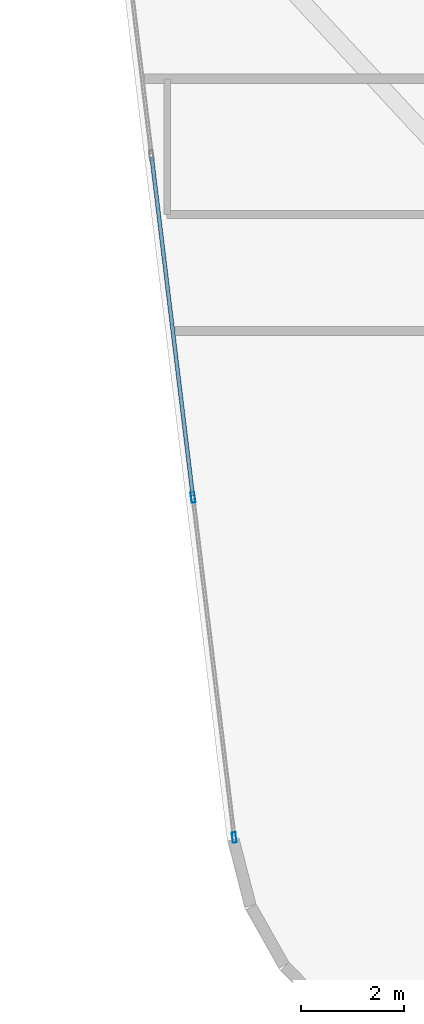
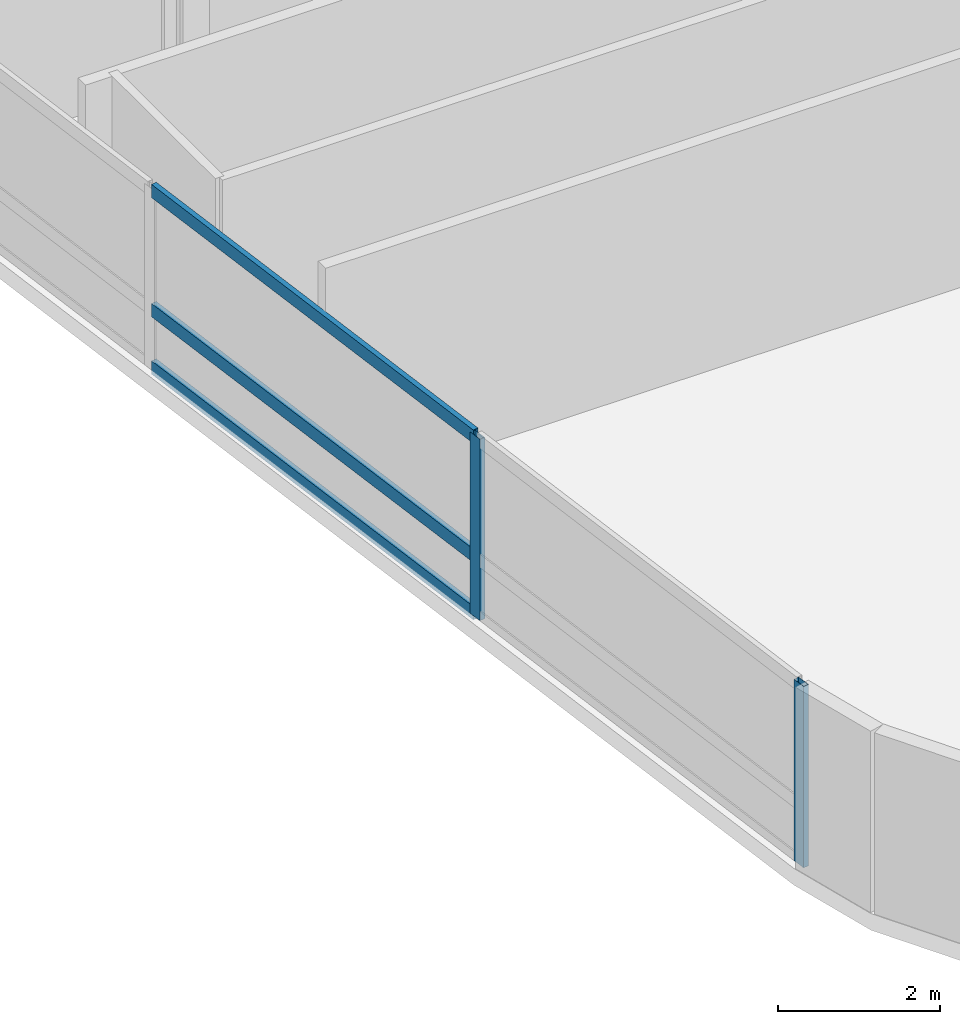
# One storey, part 2 of 22: 5 members, 1 element without a shape of its own.
"""IFC4 building model written with IfcOpenShell, lengths in metres."""

from ifc_helpers import new_model, si_unit, direction, frame, origin, origin_2d, place, context, subcontext, project, spatial, hollow_rectangle, extrude, material, layer, layer_set, material_profile, profile_set, type_object, element, aggregate, save


model = new_model("IFC4")

# Units and contexts
model_context = context("Model", 3, precision=1e-05, world=origin(), true_north=direction((0.0, 1.0)))
body_context = subcontext(model_context, "Body", "Model", "MODEL_VIEW")
ifc_project = project(units=[si_unit("LENGTHUNIT", "METRE"), si_unit("AREAUNIT", "SQUARE_METRE"), si_unit("VOLUMEUNIT", "CUBIC_METRE"), si_unit("PLANEANGLEUNIT", "RADIAN"), si_unit("MASSUNIT", "GRAM", prefix="KILO")], contexts=[model_context])

# Site, building, storey
site_placement = place(None, origin())
site = spatial("IfcSite", under=ifc_project, at=site_placement, CompositionType="ELEMENT")
building_placement = place(site_placement, origin())
building = spatial("IfcBuilding", under=site, at=building_placement, Name="Varnelok Gate Tower", CompositionType="ELEMENT")
storey_placement = place(building_placement, frame((0.0, 0.0, 185.699951171875)))
storey = spatial("IfcBuildingStorey", under=building, at=storey_placement, Name="L47", CompositionType="ELEMENT", Elevation=185.699951171875)

# Curtain wall, members
ifc_material = material(Name="Anodized Aluminum Alloy 6063-T6", Category="aluminium")
ifc_layer = layer(ifc_material, 0.179931640625)
ifc_layer_set = layer_set([ifc_layer], Name="Anodized Aluminum Alloy 6063-T6")
curtain_wall_type = type_object("IfcCurtainWallType", Name="CW4-RESIDENCE-VISION", PredefinedType="USERDEFINED", material=ifc_layer_set)
curtain_wall_placement = place(storey_placement, origin())
curtain_wall = element("IfcCurtainWall", 1, at=curtain_wall_placement, inside=storey, type_object=curtain_wall_type, Name="L47 West End Vision Curtain Wall", ObjectType="UNITISED CURTAIN WALL", PredefinedType="USERDEFINED")
ifc_material_profile_1 = material_profile(ifc_material, hollow_rectangle(XDim=0.074951171875, YDim=0.199951171875, WallThickness=0.00390625, at=origin_2d()), Name="ALU200X75X4")
ifc_profile_set_1 = profile_set([ifc_material_profile_1], Name="Anodized Aluminum Alloy 6063-T6")
member_type_1 = type_object("IfcMemberType", Name="CW-MULL-200", PredefinedType="MULLION", material=ifc_profile_set_1)
member_1_placement = place(storey_placement, frame((6.30078125, 4.52734375, 0.0), z_axis=(0.0, 0.0, 1.0), x_axis=(-0.992732188751, -0.120344511371, 0.0)))
member_1 = element("IfcMember", 2, at=member_1_placement, type_object=member_type_1, Name="CW4 mullion 1", PredefinedType="MULLION", context=body_context, shape_type="SweptSolid", body=[
    extrude(hollow_rectangle(XDim=0.074951171875, YDim=0.199951171875, WallThickness=0.00390625, at=origin_2d()), origin(), (0.0, 0.0, 1.0), 2.72998046875),
])
member_2_placement = place(storey_placement, frame((5.50146484375, 11.12158203125, 0.0), z_axis=(0.0, 0.0, 1.0), x_axis=(-0.992732188751, -0.120344511371, 0.0)))
member_2 = element("IfcMember", 3, at=member_2_placement, type_object=member_type_1, Name="CW4 mullion 2", PredefinedType="MULLION", context=body_context, shape_type="SweptSolid", body=[
    extrude(hollow_rectangle(XDim=0.074951171875, YDim=0.199951171875, WallThickness=0.00390625, at=origin_2d()), origin(), (0.0, 0.0, 1.0), 2.72998046875),
])
ifc_material_profile_2 = material_profile(ifc_material, hollow_rectangle(XDim=0.074951171875, YDim=0.199951171875, WallThickness=0.00390625, at=origin_2d()), Name="ALU200X75X4")
ifc_profile_set_2 = profile_set([ifc_material_profile_2], Name="Anodized Aluminum Alloy 6063-T6")
member_type_2 = type_object("IfcMemberType", Name="CW-TRAN-200", PredefinedType="USERDEFINED", material=ifc_profile_set_2)
member_3_placement = place(storey_placement, frame((5.496826171875, 11.15869140625, 0.03759765625), z_axis=(-0.120349029092, 0.992731641078, 0.0), x_axis=(-0.992731641078, -0.120349029092, 0.0)))
member_3 = element("IfcMember", 4, at=member_3_placement, type_object=member_type_2, Name="CW4 transom 2.1", ObjectType="TRANSOM", PredefinedType="USERDEFINED", context=body_context, shape_type="SweptSolid", body=[
    extrude(hollow_rectangle(XDim=0.074951171875, YDim=0.199951171875, WallThickness=0.00390625, at=origin_2d()), origin(), (0.0, 0.0, 1.0), 6.605224609375),
])
member_4_placement = place(storey_placement, frame((5.496826171875, 11.15869140625, 0.900146484375), z_axis=(-0.120349029092, 0.992731641078, 0.0), x_axis=(-0.992731641078, -0.120349029092, 0.0)))
member_4 = element("IfcMember", 5, at=member_4_placement, type_object=member_type_2, Name="CW4 transom 2.2", ObjectType="TRANSOM", PredefinedType="USERDEFINED", context=body_context, shape_type="SweptSolid", body=[
    extrude(hollow_rectangle(XDim=0.074951171875, YDim=0.199951171875, WallThickness=0.00390625, at=origin_2d()), origin(), (0.0, 0.0, 1.0), 6.605224609375),
])
member_5_placement = place(storey_placement, frame((5.496826171875, 11.15869140625, 2.692626953125), z_axis=(-0.120349029092, 0.992731641078, 0.0), x_axis=(-0.992731641078, -0.120349029092, 0.0)))
member_5 = element("IfcMember", 6, at=member_5_placement, type_object=member_type_2, Name="CW4 transom 2.3", ObjectType="TRANSOM", PredefinedType="USERDEFINED", context=body_context, shape_type="SweptSolid", body=[
    extrude(hollow_rectangle(XDim=0.074951171875, YDim=0.199951171875, WallThickness=0.00390625, at=origin_2d()), origin(), (0.0, 0.0, 1.0), 6.605224609375),
])
aggregate(curtain_wall, [member_1, member_2, member_3, member_4, member_5])

save(model, "model.ifc")
